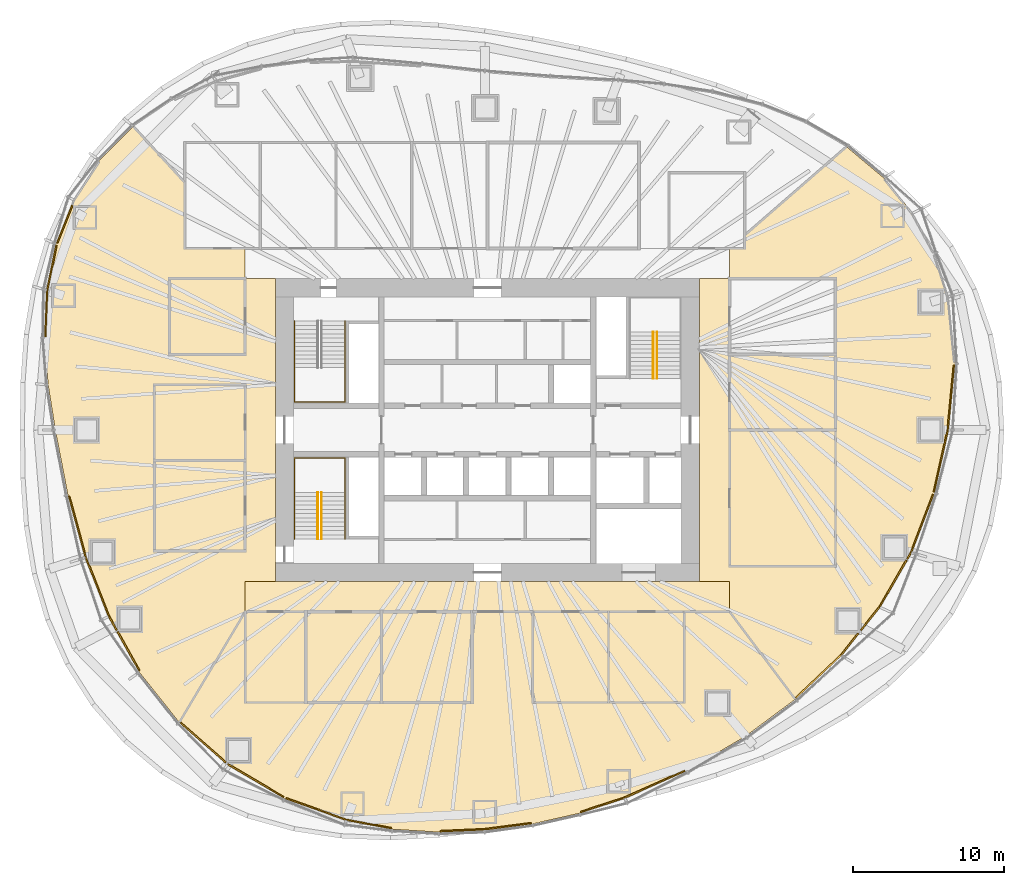
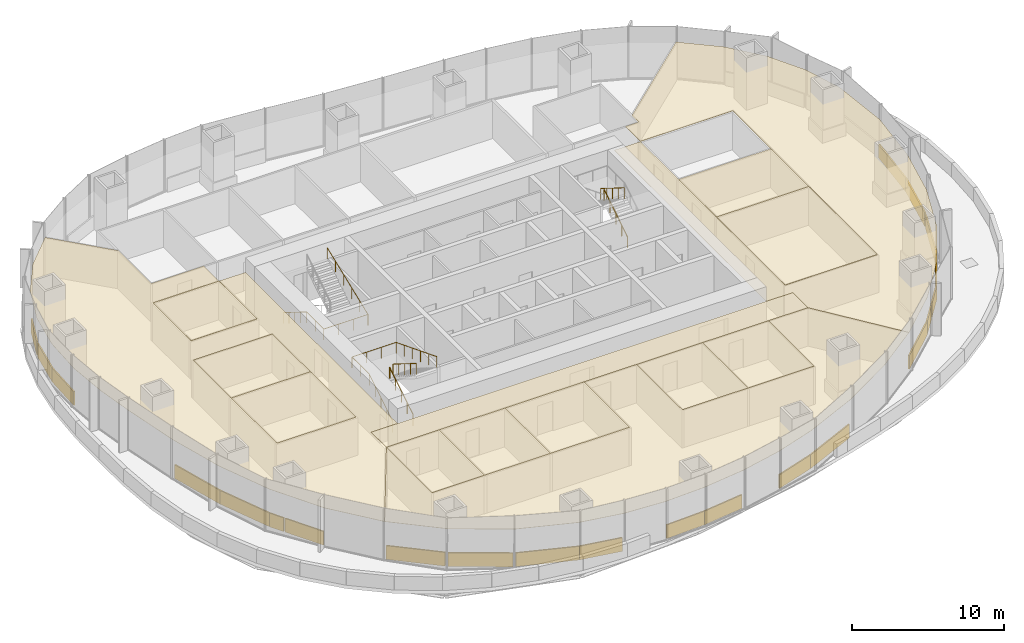
# One storey, part 19 of 20: 37 coverings, 6 railings.
"""IFC4 building model written with IfcOpenShell, lengths in metres."""

import ifcopenshell
import ifcopenshell.guid

model = None  # the IFC model being written
_history = None  # IfcOwnerHistory: only IFC2X3 demands one
_inside = {}  # id of a spatial element -> (the spatial element, [elements in it])
_under = {}  # id of a project, library or spatial element -> (it, [spatial elements below it])
_declared = {}  # id of a project -> (the project, [libraries it declares])
_typed = {}  # id of a type object -> (the type object, [elements of that type])
_made_of = {}  # id of a material, layer set ... -> (it, [elements and type objects made of it])


def new_model(schema):
    """Start an empty IFC model of exactly this schema.

    Asked for "IFC4X3", IfcOpenShell would pick the latest addendum, in which some entities
    have other attributes; the version numbers below select the first issue.
    IFC2X3 requires an IfcOwnerHistory on every rooted entity: one is made here for all.
    """
    global model, _history
    if schema == "IFC4X3":
        model = ifcopenshell.file(schema_version=(4, 3, 0, 0))
    else:
        model = ifcopenshell.file(schema=schema)
    _inside.clear()
    _under.clear()
    _declared.clear()
    _typed.clear()
    _made_of.clear()
    _history = None
    if model.schema == "IFC2X3":
        org = make("IfcOrganization", Name="unknown")
        user = make(
            "IfcPersonAndOrganization",
            ThePerson=make("IfcPerson", FamilyName="unknown"),
            TheOrganization=org,
        )
        app = make(
            "IfcApplication",
            ApplicationDeveloper=org,
            Version="unknown",
            ApplicationFullName="unknown",
            ApplicationIdentifier="unknown",
        )
        _history = make(
            "IfcOwnerHistory",
            OwningUser=user,
            OwningApplication=app,
            ChangeAction="ADDED",
            CreationDate=0,
        )
    return model


def make(cls, **values):
    """One entity of the class cls with the attributes given. An attribute that is None is left unset."""
    return model.create_entity(
        cls, **{name: value for name, value in values.items() if value is not None}
    )


def rooted(cls, **values):
    """An entity with a GlobalId (a new one), such as an element, a storey or a relation."""
    return make(cls, GlobalId=ifcopenshell.guid.new(), OwnerHistory=_history, **values)


def si_unit(unit_type, name, prefix=None):
    """IfcSIUnit, for example si_unit("LENGTHUNIT", "METRE", prefix="MILLI")."""
    return make("IfcSIUnit", UnitType=unit_type, Prefix=prefix, Name=name)


def assignment(units):
    """IfcUnitAssignment: the units of a project."""
    return None if units is None else make("IfcUnitAssignment", Units=units)


def point(xyz):
    """IfcCartesianPoint."""
    return None if xyz is None else make("IfcCartesianPoint", Coordinates=xyz)


def direction(xyz):
    """IfcDirection."""
    return None if xyz is None else make("IfcDirection", DirectionRatios=xyz)


def frame(location, z_axis=None, x_axis=None):
    """IfcAxis2Placement3D, a coordinate frame: its origin and axes. An axis left out is left unset."""
    return make(
        "IfcAxis2Placement3D",
        Location=point(location),
        Axis=direction(z_axis),
        RefDirection=direction(x_axis),
    )


def frame_2d(location, x_axis=None):
    """IfcAxis2Placement2D, a coordinate frame in the plane: its origin and x axis."""
    return make(
        "IfcAxis2Placement2D", Location=point(location), RefDirection=direction(x_axis)
    )


def origin():
    """The frame at (0, 0, 0) with its axes left unset."""
    return frame((0.0, 0.0, 0.0))


def origin_2d():
    """The frame at (0, 0) in the plane with its x axis left unset."""
    return frame_2d((0.0, 0.0))


def place(relative_to, where):
    """IfcLocalPlacement: puts the frame where relative to a parent placement (None: the world)."""
    return make(
        "IfcLocalPlacement", PlacementRelTo=relative_to, RelativePlacement=where
    )


def context(
    kind, dimensions, precision=None, world=None, true_north=None, identifier=None
):
    """IfcGeometricRepresentationContext, for example the 3D "Model" context."""
    return make(
        "IfcGeometricRepresentationContext",
        ContextIdentifier=identifier,
        ContextType=kind,
        CoordinateSpaceDimension=dimensions,
        Precision=precision,
        WorldCoordinateSystem=world,
        TrueNorth=true_north,
    )


def subcontext(parent, identifier, kind, view, scale=None):
    """IfcGeometricRepresentationSubContext, for example "Body" below "Model"."""
    return make(
        "IfcGeometricRepresentationSubContext",
        ContextIdentifier=identifier,
        ContextType=kind,
        ParentContext=parent,
        TargetScale=scale,
        TargetView=view,
    )


def project(units=None, contexts=None):
    """IfcProject with its units and contexts."""
    return rooted(
        "IfcProject",
        Name="project",
        RepresentationContexts=contexts,
        UnitsInContext=assignment(units),
    )


def spatial(cls, under=None, at=None, **own):
    """A site, building, storey or space (cls), placed at a placement, below another one or the project."""
    s = rooted(cls, ObjectPlacement=at, **own)
    if under is not None:
        _under.setdefault(under.id(), (under, []))[1].append(s)
    return s


def polyline(points):
    """IfcPolyline through the points."""
    return make("IfcPolyline", Points=[point(p) for p in points])


def profile(cls, at=None, kind="AREA", **sizes):
    """A parametric profile (cls). Its sizes go by their IFC names, for example OverallWidth=200.0."""
    return make(cls, ProfileType=kind, Position=at, **sizes)


def rectangle(**sizes):
    """IfcRectangleProfileDef."""
    return profile("IfcRectangleProfileDef", **sizes)


def circle(**sizes):
    """IfcCircleProfileDef."""
    return profile("IfcCircleProfileDef", **sizes)


def outline(outer, holes=None, kind="AREA"):
    """IfcArbitraryClosedProfileDef: a profile drawn as a closed curve; with holes, ...WithVoids."""
    if holes is None:
        return make("IfcArbitraryClosedProfileDef", ProfileType=kind, OuterCurve=outer)
    return make(
        "IfcArbitraryProfileDefWithVoids",
        ProfileType=kind,
        OuterCurve=outer,
        InnerCurves=holes,
    )


def extrude(swept, where, along, depth):
    """IfcExtrudedAreaSolid: the profile swept, set in the frame where, extruded along a direction by depth."""
    return make(
        "IfcExtrudedAreaSolid",
        SweptArea=swept,
        Position=where,
        ExtrudedDirection=direction(along),
        Depth=depth,
    )


def shape(context_of_items, identifier, shape_type, items):
    """IfcShapeRepresentation: the items that make up one representation, for example the "Body"."""
    return make(
        "IfcShapeRepresentation",
        ContextOfItems=context_of_items,
        RepresentationIdentifier=identifier,
        RepresentationType=shape_type,
        Items=items,
    )


def material(Name=None, Category=None):
    """IfcMaterial."""
    return make("IfcMaterial", Name=Name, Category=Category)


def layer(
    of_material, thickness, ventilated=None, Name=None, Category=None, Priority=None
):
    """IfcMaterialLayer: one layer of a wall or slab, of a material (None: an air gap)."""
    return make(
        "IfcMaterialLayer",
        Material=of_material,
        LayerThickness=thickness,
        IsVentilated=ventilated,
        Name=Name,
        Category=Category,
        Priority=Priority,
    )


def layer_set(layers, Name=None):
    """IfcMaterialLayerSet."""
    return make("IfcMaterialLayerSet", MaterialLayers=layers, LayerSetName=Name)


def made_of(thing, what):
    """Note that an element or type object is made of a material, layer set ...; save() writes the relation."""
    if what is not None:
        _made_of.setdefault(what.id(), (what, []))[1].append(thing)
    return thing


def type_object(cls, material=None, **own):
    """A type object (cls), such as IfcWallType, which elements share."""
    return made_of(rooted(cls, **own), material)


def element(
    cls,
    number,
    at=None,
    inside=None,
    cuts=None,
    type_object=None,
    material=None,
    context=None,
    identifier="Body",
    shape_type=None,
    held_by="IfcProductDefinitionShape",
    body=None,
    shapes=None,
    **own,
):
    """One element of the class cls, such as IfcWall. Its Tag is "e" and its number.

    at: its placement. inside: the storey or other place that contains it. cuts: it is an
    opening in that element (IfcRelVoidsElement). A single representation is given by context,
    identifier, shape_type and body (its items); several are given by shapes. held_by: the class
    of the entity that holds the representations. save() writes the other relations.
    """
    e = rooted(cls, Tag="e%d" % number, ObjectPlacement=at, **own)
    if body is not None:
        shapes = [shape(context, identifier, shape_type, body)]
    if shapes is not None:
        e.Representation = make(held_by, Representations=shapes)
    if inside is not None:
        _inside.setdefault(inside.id(), (inside, []))[1].append(e)
    if cuts is not None:
        rooted(
            "IfcRelVoidsElement", RelatingBuildingElement=cuts, RelatedOpeningElement=e
        )
    if type_object is not None:
        _typed.setdefault(type_object.id(), (type_object, []))[1].append(e)
    return made_of(e, material)


def aggregate(whole, parts):
    """IfcRelAggregates: a whole, such as a stair, and the parts it consists of."""
    return rooted("IfcRelAggregates", RelatingObject=whole, RelatedObjects=parts)


def save(model, path):
    """Write the relations noted so far, then the file.

    IfcRelAggregates (storeys below a building ...), IfcRelContainedInSpatialStructure (elements
    in a storey), IfcRelDefinesByType, IfcRelAssociatesMaterial and IfcRelDeclares: one each for
    every whole, place, type object, material and project.
    """
    for whole, parts in _under.values():
        aggregate(whole, parts)
    for where, things in _inside.values():
        rooted(
            "IfcRelContainedInSpatialStructure",
            RelatedElements=things,
            RelatingStructure=where,
        )
    for kind, things in _typed.values():
        rooted("IfcRelDefinesByType", RelatedObjects=things, RelatingType=kind)
    for what, things in _made_of.values():
        rooted("IfcRelAssociatesMaterial", RelatedObjects=things, RelatingMaterial=what)
    for by, libraries in _declared.values():
        rooted("IfcRelDeclares", RelatingContext=by, RelatedDefinitions=libraries)
    model.write(path)


model = new_model("IFC4")

# Units and contexts
model_context = context("Model", 3, precision=1e-05, world=origin(), true_north=direction((0.0, 1.0)))
body_context = subcontext(model_context, "Body", "Model", "MODEL_VIEW")
ifc_project = project(units=[si_unit("LENGTHUNIT", "METRE"), si_unit("AREAUNIT", "SQUARE_METRE"), si_unit("VOLUMEUNIT", "CUBIC_METRE"), si_unit("PLANEANGLEUNIT", "RADIAN"), si_unit("MASSUNIT", "GRAM", prefix="KILO")], contexts=[model_context])

# Site, building, storey
site_placement = place(None, origin())
site = spatial("IfcSite", under=ifc_project, at=site_placement, CompositionType="ELEMENT")
building_placement = place(site_placement, origin())
building = spatial("IfcBuilding", under=site, at=building_placement, Name="Ghaith Harvest Tower", CompositionType="ELEMENT")
storey_placement = place(building_placement, frame((0.0, 0.0, 105.0)))
storey = spatial("IfcBuildingStorey", under=building, at=storey_placement, Name="L21", CompositionType="ELEMENT", Elevation=105.0)

# Coverings
ifc_material_1 = material(Name="Mineral fibre ceiling tile", Category="gypsum")
ifc_layer_1 = layer(ifc_material_1, 0.02001953125)
ifc_layer_set_1 = layer_set([ifc_layer_1], Name="CEILING C1")
covering_type_1 = type_object("IfcCoveringType", Name="CEILING C1", PredefinedType="CEILING", material=ifc_layer_set_1)
covering_1_placement = place(storey_placement, frame((0.0, 0.0, 3.0)))
element("IfcCovering", 1, at=covering_1_placement, inside=storey, type_object=covering_type_1, Name="Ceiling L21-07", PredefinedType="CEILING", context=body_context, shape_type="SweptSolid", body=[
    extrude(outline(polyline([(16.0, -9.0), (23.0, -9.0), (23.0, 0.0), (16.0, 0.0), (16.0, -9.0)])), origin(), (0.0, 0.0, 1.0), 0.02001953125),
])
covering_2_placement = place(storey_placement, frame((0.0, 0.0, 3.0)))
element("IfcCovering", 2, at=covering_2_placement, inside=storey, type_object=covering_type_1, Name="Ceiling L21-08", PredefinedType="CEILING", context=body_context, shape_type="SweptSolid", body=[
    extrude(outline(polyline([(16.0, 0.0), (23.0, 0.0), (23.0, 5.0), (16.0, 5.0), (16.0, 0.0)])), origin(), (0.0, 0.0, 1.0), 0.02001953125),
])
covering_3_placement = place(storey_placement, frame((0.0, 0.0, 3.0)))
element("IfcCovering", 3, at=covering_3_placement, inside=storey, type_object=covering_type_1, Name="Ceiling L21-10", PredefinedType="CEILING", context=body_context, shape_type="SweptSolid", body=[
    extrude(outline(polyline([(-16.0, -18.0), (-12.0, -18.0), (-12.0, -12.0), (-16.0, -12.0), (-16.0, -18.0)])), origin(), (0.0, 0.0, 1.0), 0.02001953125),
])
covering_4_placement = place(storey_placement, frame((0.0, 0.0, 3.0)))
element("IfcCovering", 4, at=covering_4_placement, inside=storey, type_object=covering_type_1, Name="Ceiling L21-11", PredefinedType="CEILING", context=body_context, shape_type="SweptSolid", body=[
    extrude(outline(polyline([(-12.0, -18.0), (-7.0, -18.0), (-7.0, -12.0), (-12.0, -12.0), (-12.0, -18.0)])), origin(), (0.0, 0.0, 1.0), 0.02001953125),
])
covering_5_placement = place(storey_placement, frame((0.0, 0.0, 3.0)))
element("IfcCovering", 5, at=covering_5_placement, inside=storey, type_object=covering_type_1, Name="Ceiling L21-12", PredefinedType="CEILING", context=body_context, shape_type="SweptSolid", body=[
    extrude(outline(polyline([(-7.0, -18.0), (-1.0, -18.0), (-1.0, -12.0), (-7.0, -12.0), (-7.0, -18.0)])), origin(), (0.0, 0.0, 1.0), 0.02001953125),
])
covering_6_placement = place(storey_placement, frame((0.0, 0.0, 3.0)))
element("IfcCovering", 6, at=covering_6_placement, inside=storey, type_object=covering_type_1, Name="Ceiling L21-13", PredefinedType="CEILING", context=body_context, shape_type="SweptSolid", body=[
    extrude(outline(polyline([(3.0, -18.0), (8.0, -18.0), (8.0, -12.0), (3.0, -12.0), (3.0, -18.0)])), origin(), (0.0, 0.0, 1.0), 0.02001953125),
])
covering_7_placement = place(storey_placement, frame((0.0, 0.0, 3.0)))
element("IfcCovering", 7, at=covering_7_placement, inside=storey, type_object=covering_type_1, Name="Ceiling L21-14", PredefinedType="CEILING", context=body_context, shape_type="SweptSolid", body=[
    extrude(outline(polyline([(8.0, -18.0), (13.0, -18.0), (13.0, -12.0), (8.0, -12.0), (8.0, -18.0)])), origin(), (0.0, 0.0, 1.0), 0.02001953125),
])
covering_8_placement = place(storey_placement, frame((0.0, 0.0, 3.0)))
element("IfcCovering", 8, at=covering_8_placement, inside=storey, type_object=covering_type_1, Name="Ceiling L21-15", PredefinedType="CEILING", context=body_context, shape_type="SweptSolid", body=[
    extrude(outline(polyline([(-22.0, -8.0), (-16.0, -8.0), (-16.0, -2.0), (-22.0, -2.0), (-22.0, -8.0)])), origin(), (0.0, 0.0, 1.0), 0.02001953125),
])
covering_9_placement = place(storey_placement, frame((0.0, 0.0, 3.0)))
element("IfcCovering", 9, at=covering_9_placement, inside=storey, type_object=covering_type_1, Name="Ceiling L21-16", PredefinedType="CEILING", context=body_context, shape_type="SweptSolid", body=[
    extrude(outline(polyline([(-22.0, -2.0), (-16.0, -2.0), (-16.0, 3.0), (-22.0, 3.0), (-22.0, -2.0)])), origin(), (0.0, 0.0, 1.0), 0.02001953125),
])
covering_10_placement = place(storey_placement, frame((0.0, 0.0, 3.0)))
element("IfcCovering", 10, at=covering_10_placement, inside=storey, type_object=covering_type_1, Name="Ceiling L21-17", PredefinedType="CEILING", context=body_context, shape_type="SweptSolid", body=[
    extrude(outline(polyline([(-21.0, 5.0), (-16.0, 5.0), (-16.0, 10.0), (-21.0, 10.0), (-21.0, 5.0)])), origin(), (0.0, 0.0, 1.0), 0.02001953125),
])
covering_11_placement = place(storey_placement, frame((0.0, 0.0, 3.0)))
element("IfcCovering", 11, at=covering_11_placement, inside=storey, type_object=covering_type_1, Name="Ceiling L21-C2", PredefinedType="CEILING", context=body_context, shape_type="SweptSolid", body=[
    extrude(outline(polyline([(-16.0, -10.0), (16.0, -10.0), (16.0, -12.0), (-16.0, -12.0), (-16.0, -10.0)])), origin(), (0.0, 0.0, 1.0), 0.02001953125),
])
covering_12_placement = place(storey_placement, frame((0.0, 0.0, 3.0)))
element("IfcCovering", 12, at=covering_12_placement, inside=storey, type_object=covering_type_1, Name="Ceiling L21-E1", PredefinedType="CEILING", context=body_context, shape_type="SweptSolid", body=[
    extrude(outline(polyline([(28.0888671875, 14.32568359375), (29.52294921875, 11.671875), (30.439208984375, 8.797607421875), (30.8798828125, 4.373046875), (30.458740234375, 0.0), (29.527099609375, -4.181396484375), (28.03125, -8.1015625), (25.94775390625, -11.714111328125), (23.400390625, -14.89208984375), (20.33935546875, -17.784912109375), (16.0, -12.0), (16.0, -10.0), (14.0, -10.0), (14.0, 10.0), (15.989990234375, 10.0), (15.989990234375, -9.010009765625), (23.010009765625, -9.010009765625), (23.010009765625, 10.010009765625), (16.0, 10.010009765625), (16.0, 12.0), (17.0, 12.0), (17.0, 12.869384765625), (23.7275390625, 18.718017578125), (26.179443359375, 16.660888671875), (28.0888671875, 14.32568359375)])), origin(), (0.0, 0.0, 1.0), 0.02001953125),
])
covering_13_placement = place(storey_placement, frame((0.0, 0.0, 3.0)))
element("IfcCovering", 13, at=covering_13_placement, inside=storey, type_object=covering_type_1, Name="Ceiling L21-S1", PredefinedType="CEILING", context=body_context, shape_type="SweptSolid", body=[
    extrude(outline(polyline([(17.054443359375, -20.22412109375), (13.163818359375, -22.510498046875), (9.09423828125, -24.326904296875), (6.09228515625, -25.308837890625), (2.99609375, -26.010009765625), (-0.180908203125, -26.423583984375), (-3.204833984375, -26.556884765625), (-6.2666015625, -26.366455078125), (-9.317138671875, -25.79638671875), (-13.4052734375, -24.33740234375), (-17.1728515625, -22.11181640625), (-20.35400390625, -19.31396484375), (-16.0, -12.0), (-16.0, -18.0), (-1.0, -18.0), (-1.0, -12.0), (3.0, -12.0), (3.0, -18.0), (13.0, -18.0), (13.0, -12.0), (16.0, -12.0), (20.33935546875, -17.784912109375), (17.054443359375, -20.22412109375)])), origin(), (0.0, 0.0, 1.0), 0.02001953125),
])
covering_14_placement = place(storey_placement, frame((0.0, 0.0, 3.0)))
element("IfcCovering", 14, at=covering_14_placement, inside=storey, type_object=covering_type_1, Name="Ceiling L21-W1", PredefinedType="CEILING", context=body_context, shape_type="SweptSolid", body=[
    extrude(outline(polyline([(-27.70947265625, -4.285888671875), (-28.541259765625, 0.0), (-29.01171875, 2.978271484375), (-29.260498046875, 6.07177734375), (-29.12646484375, 9.230712890625), (-28.506591796875, 12.29638671875), (-27.33837890625, 15.204833984375), (-25.61962890625, 17.826416015625), (-23.398193359375, 20.06103515625), (-20.0, 16.3583984375), (-20.0, 12.0), (-16.0, 12.0), (-16.0, 10.010009765625), (-21.010009765625, 10.010009765625), (-21.010009765625, 4.989990234375), (-15.989990234375, 4.989990234375), (-15.989990234375, 10.0), (-14.0, 10.0), (-14.0, -10.0), (-16.0, -10.0), (-16.0, -12.0), (-20.35400390625, -19.31396484375), (-22.99169921875, -15.997802734375), (-25.046875, -12.32861328125), (-26.580078125, -8.423583984375), (-27.70947265625, -4.285888671875)]), holes=[polyline([(-22.0, -8.0), (-16.0, -8.0), (-16.0, 3.0), (-22.0, 3.0), (-22.0, -8.0)])]), origin(), (0.0, 0.0, 1.0), 0.02001953125),
])

# Railings
ifc_material_2 = material(Name="Steel, black powder-coated", Category="steel")
railing_type = type_object("IfcRailingType", Name="HANDRAIL HR1", PredefinedType="HANDRAIL", material=ifc_material_2)
railing_1_placement = place(storey_placement, frame((-12.75, 7.199951171875, 0.175048828125)))
element("IfcRailing", 15, at=railing_1_placement, inside=storey, type_object=railing_type, Name="Handrail HR1 stair ST1 L21 wall side", PredefinedType="HANDRAIL", context=body_context, shape_type="SweptSolid", body=[
    extrude(circle(Radius=0.02392578125, at=origin_2d()), frame((0.0, 0.0, 0.8759765625), z_axis=(0.0, -0.847979421464, 0.530029150871), x_axis=(1.0, 0.0, 0.0)), (0.0, 0.0, 1.0), 3.632080078125),
    extrude(circle(Radius=0.02392578125, at=origin_2d()), frame((0.0, -3.079833984375, 2.80078125), z_axis=(0.0, -1.0, 0.0), x_axis=(1.0, 0.0, 0.0)), (0.0, 0.0, 1.0), 2.27001953125),
    extrude(circle(Radius=0.02392578125, at=origin_2d()), frame((0.0, -5.349853515625, 2.80078125), z_axis=(1.0, 0.0, 0.0), x_axis=(0.0, 1.0, 0.0)), (0.0, 0.0, 1.0), 3.35009765625),
    extrude(circle(Radius=0.02392578125, at=origin_2d()), frame((3.35009765625, -5.349853515625, 2.80078125), z_axis=(0.0, 0.930862461605, 0.365369781968), x_axis=(-1.0, 0.0, 0.0)), (0.0, 0.0, 1.0), 5.747314453125),
    extrude(circle(Radius=0.02099609375, at=origin_2d()), origin(), (0.0, 0.0, 1.0), 0.851806640625),
    extrude(circle(Radius=0.02099609375, at=origin_2d()), frame((0.0, -0.77001953125, 0.481201171875)), (0.0, 0.0, 1.0), 0.851806640625),
    extrude(circle(Radius=0.02099609375, at=origin_2d()), frame((0.0, -1.5400390625, 0.96240234375)), (0.0, 0.0, 1.0), 0.851806640625),
    extrude(circle(Radius=0.02099609375, at=origin_2d()), frame((0.0, -2.309814453125, 1.44384765625)), (0.0, 0.0, 1.0), 0.851806640625),
    extrude(circle(Radius=0.02099609375, at=origin_2d()), frame((0.0, -3.079833984375, 1.925048828125)), (0.0, 0.0, 1.0), 0.851806640625),
    extrude(circle(Radius=0.02099609375, at=origin_2d()), frame((0.0, -4.21484375, 1.925048828125)), (0.0, 0.0, 1.0), 0.851806640625),
    extrude(circle(Radius=0.02099609375, at=origin_2d()), frame((0.0, -5.349853515625, 1.925048828125)), (0.0, 0.0, 1.0), 0.851806640625),
    extrude(circle(Radius=0.02099609375, at=origin_2d()), frame((1.11669921875, -5.349853515625, 1.925048828125)), (0.0, 0.0, 1.0), 0.851806640625),
    extrude(circle(Radius=0.02099609375, at=origin_2d()), frame((2.2333984375, -5.349853515625, 1.925048828125)), (0.0, 0.0, 1.0), 0.851806640625),
    extrude(circle(Radius=0.02099609375, at=origin_2d()), frame((3.35009765625, -5.349853515625, 1.925048828125)), (0.0, 0.0, 1.0), 0.851806640625),
    extrude(circle(Radius=0.02099609375, at=origin_2d()), frame((3.35009765625, -4.27978515625, 2.344970703125)), (0.0, 0.0, 1.0), 0.851806640625),
    extrude(circle(Radius=0.02099609375, at=origin_2d()), frame((3.35009765625, -3.2099609375, 2.764892578125)), (0.0, 0.0, 1.0), 0.851806640625),
    extrude(circle(Radius=0.02099609375, at=origin_2d()), frame((3.35009765625, -2.139892578125, 3.18505859375)), (0.0, 0.0, 1.0), 0.851806640625),
    extrude(circle(Radius=0.02099609375, at=origin_2d()), frame((3.35009765625, -1.070068359375, 3.60498046875)), (0.0, 0.0, 1.0), 0.851806640625),
    extrude(circle(Radius=0.02099609375, at=origin_2d()), frame((3.35009765625, 0.0, 4.02490234375)), (0.0, 0.0, 1.0), 0.851806640625),
])
railing_2_placement = place(storey_placement, frame((-11.199951171875, -7.199951171875, 0.175048828125)))
element("IfcRailing", 16, at=railing_2_placement, inside=storey, type_object=railing_type, Name="Handrail HR1 stair ST3 L21 flight 1 inner", PredefinedType="HANDRAIL", context=body_context, shape_type="SweptSolid", body=[
    extrude(circle(Radius=0.02392578125, at=origin_2d()), frame((0.0, 0.0, 0.8759765625), z_axis=(0.0, 0.847979421464, 0.530029150871), x_axis=(-1.0, 0.0, 0.0)), (0.0, 0.0, 1.0), 3.632080078125),
    extrude(circle(Radius=0.02099609375, at=origin_2d()), origin(), (0.0, 0.0, 1.0), 0.851806640625),
    extrude(circle(Radius=0.02099609375, at=origin_2d()), frame((0.0, 0.77001953125, 0.481201171875)), (0.0, 0.0, 1.0), 0.851806640625),
    extrude(circle(Radius=0.02099609375, at=origin_2d()), frame((0.0, 1.5400390625, 0.96240234375)), (0.0, 0.0, 1.0), 0.851806640625),
    extrude(circle(Radius=0.02099609375, at=origin_2d()), frame((0.0, 2.309814453125, 1.44384765625)), (0.0, 0.0, 1.0), 0.851806640625),
    extrude(circle(Radius=0.02099609375, at=origin_2d()), frame((0.0, 3.079833984375, 1.925048828125)), (0.0, 0.0, 1.0), 0.851806640625),
])
railing_3_placement = place(storey_placement, frame((-10.949951171875, -4.1201171875, 2.27490234375)))
element("IfcRailing", 17, at=railing_3_placement, inside=storey, type_object=railing_type, Name="Handrail HR1 stair ST3 L21 flight 2 inner", PredefinedType="HANDRAIL", context=body_context, shape_type="SweptSolid", body=[
    extrude(circle(Radius=0.02392578125, at=origin_2d()), frame((0.0, 0.0, 0.8759765625), z_axis=(0.0, -0.847979421464, 0.530029150871), x_axis=(1.0, 0.0, 0.0)), (0.0, 0.0, 1.0), 3.632080078125),
    extrude(circle(Radius=0.02099609375, at=origin_2d()), origin(), (0.0, 0.0, 1.0), 0.851806640625),
    extrude(circle(Radius=0.02099609375, at=origin_2d()), frame((0.0, -0.77001953125, 0.481201171875)), (0.0, 0.0, 1.0), 0.851806640625),
    extrude(circle(Radius=0.02099609375, at=origin_2d()), frame((0.0, -1.5400390625, 0.96240234375)), (0.0, 0.0, 1.0), 0.851806640625),
    extrude(circle(Radius=0.02099609375, at=origin_2d()), frame((0.0, -2.309814453125, 1.44384765625)), (0.0, 0.0, 1.0), 0.851806640625),
    extrude(circle(Radius=0.02099609375, at=origin_2d()), frame((0.0, -3.079833984375, 1.925048828125)), (0.0, 0.0, 1.0), 0.851806640625),
])
railing_4_placement = place(storey_placement, frame((-12.75, -7.199951171875, 0.175048828125)))
element("IfcRailing", 18, at=railing_4_placement, inside=storey, type_object=railing_type, Name="Handrail HR1 stair ST3 L21 wall side", PredefinedType="HANDRAIL", context=body_context, shape_type="SweptSolid", body=[
    extrude(circle(Radius=0.02392578125, at=origin_2d()), frame((0.0, 0.0, 0.8759765625), z_axis=(0.0, 0.847979421464, 0.530029150871), x_axis=(-1.0, 0.0, 0.0)), (0.0, 0.0, 1.0), 3.632080078125),
    extrude(circle(Radius=0.02392578125, at=origin_2d()), frame((0.0, 3.079833984375, 2.80078125), z_axis=(0.0, 1.0, 0.0), x_axis=(-1.0, 0.0, 0.0)), (0.0, 0.0, 1.0), 2.27001953125),
    extrude(circle(Radius=0.02392578125, at=origin_2d()), frame((0.0, 5.349853515625, 2.80078125), z_axis=(1.0, 0.0, 0.0), x_axis=(0.0, 1.0, 0.0)), (0.0, 0.0, 1.0), 3.35009765625),
    extrude(circle(Radius=0.02392578125, at=origin_2d()), frame((3.35009765625, 5.349853515625, 2.80078125), z_axis=(0.0, -0.930862461605, 0.365369781968), x_axis=(1.0, 0.0, 0.0)), (0.0, 0.0, 1.0), 5.747314453125),
    extrude(circle(Radius=0.02099609375, at=origin_2d()), origin(), (0.0, 0.0, 1.0), 0.851806640625),
    extrude(circle(Radius=0.02099609375, at=origin_2d()), frame((0.0, 0.77001953125, 0.481201171875)), (0.0, 0.0, 1.0), 0.851806640625),
    extrude(circle(Radius=0.02099609375, at=origin_2d()), frame((0.0, 1.5400390625, 0.96240234375)), (0.0, 0.0, 1.0), 0.851806640625),
    extrude(circle(Radius=0.02099609375, at=origin_2d()), frame((0.0, 2.309814453125, 1.44384765625)), (0.0, 0.0, 1.0), 0.851806640625),
    extrude(circle(Radius=0.02099609375, at=origin_2d()), frame((0.0, 3.079833984375, 1.925048828125)), (0.0, 0.0, 1.0), 0.851806640625),
    extrude(circle(Radius=0.02099609375, at=origin_2d()), frame((0.0, 4.21484375, 1.925048828125)), (0.0, 0.0, 1.0), 0.851806640625),
    extrude(circle(Radius=0.02099609375, at=origin_2d()), frame((0.0, 5.349853515625, 1.925048828125)), (0.0, 0.0, 1.0), 0.851806640625),
    extrude(circle(Radius=0.02099609375, at=origin_2d()), frame((1.11669921875, 5.349853515625, 1.925048828125)), (0.0, 0.0, 1.0), 0.851806640625),
    extrude(circle(Radius=0.02099609375, at=origin_2d()), frame((2.2333984375, 5.349853515625, 1.925048828125)), (0.0, 0.0, 1.0), 0.851806640625),
    extrude(circle(Radius=0.02099609375, at=origin_2d()), frame((3.35009765625, 5.349853515625, 1.925048828125)), (0.0, 0.0, 1.0), 0.851806640625),
    extrude(circle(Radius=0.02099609375, at=origin_2d()), frame((3.35009765625, 4.27978515625, 2.344970703125)), (0.0, 0.0, 1.0), 0.851806640625),
    extrude(circle(Radius=0.02099609375, at=origin_2d()), frame((3.35009765625, 3.2099609375, 2.764892578125)), (0.0, 0.0, 1.0), 0.851806640625),
    extrude(circle(Radius=0.02099609375, at=origin_2d()), frame((3.35009765625, 2.139892578125, 3.18505859375)), (0.0, 0.0, 1.0), 0.851806640625),
    extrude(circle(Radius=0.02099609375, at=origin_2d()), frame((3.35009765625, 1.070068359375, 3.60498046875)), (0.0, 0.0, 1.0), 0.851806640625),
    extrude(circle(Radius=0.02099609375, at=origin_2d()), frame((3.35009765625, 0.0, 4.02490234375)), (0.0, 0.0, 1.0), 0.851806640625),
])
railing_5_placement = place(storey_placement, frame((11.199951171875, 3.39990234375, 0.175048828125)))
element("IfcRailing", 19, at=railing_5_placement, inside=storey, type_object=railing_type, Name="Handrail HR1 stair ST2 L21 flight 1 inner", PredefinedType="HANDRAIL", context=body_context, shape_type="SweptSolid", body=[
    extrude(circle(Radius=0.02392578125, at=origin_2d()), frame((0.0, 0.0, 0.8759765625), z_axis=(0.0, 0.847998304005, 0.529998940003), x_axis=(-1.0, 0.0, 0.0)), (0.0, 0.0, 1.0), 3.632080078125),
    extrude(circle(Radius=0.02099609375, at=origin_2d()), origin(), (0.0, 0.0, 1.0), 0.851806640625),
    extrude(circle(Radius=0.02099609375, at=origin_2d()), frame((0.0, 0.77001953125, 0.481201171875)), (0.0, 0.0, 1.0), 0.851806640625),
    extrude(circle(Radius=0.02099609375, at=origin_2d()), frame((0.0, 1.5400390625, 0.96240234375)), (0.0, 0.0, 1.0), 0.851806640625),
    extrude(circle(Radius=0.02099609375, at=origin_2d()), frame((0.0, 2.31005859375, 1.44384765625)), (0.0, 0.0, 1.0), 0.851806640625),
    extrude(circle(Radius=0.02099609375, at=origin_2d()), frame((0.0, 3.080078125, 1.925048828125)), (0.0, 0.0, 1.0), 0.851806640625),
])
railing_6_placement = place(storey_placement, frame((10.949951171875, 6.47998046875, 2.27490234375)))
element("IfcRailing", 20, at=railing_6_placement, inside=storey, type_object=railing_type, Name="Handrail HR1 stair ST2 L21 flight 2 inner", PredefinedType="HANDRAIL", context=body_context, shape_type="SweptSolid", body=[
    extrude(circle(Radius=0.02392578125, at=origin_2d()), frame((0.0, 0.0, 0.8759765625), z_axis=(0.0, -0.847998304005, 0.529998940003), x_axis=(1.0, 0.0, 0.0)), (0.0, 0.0, 1.0), 3.632080078125),
    extrude(circle(Radius=0.02099609375, at=origin_2d()), origin(), (0.0, 0.0, 1.0), 0.851806640625),
    extrude(circle(Radius=0.02099609375, at=origin_2d()), frame((0.0, -0.77001953125, 0.481201171875)), (0.0, 0.0, 1.0), 0.851806640625),
    extrude(circle(Radius=0.02099609375, at=origin_2d()), frame((0.0, -1.5400390625, 0.96240234375)), (0.0, 0.0, 1.0), 0.851806640625),
    extrude(circle(Radius=0.02099609375, at=origin_2d()), frame((0.0, -2.31005859375, 1.44384765625)), (0.0, 0.0, 1.0), 0.851806640625),
    extrude(circle(Radius=0.02099609375, at=origin_2d()), frame((0.0, -3.080078125, 1.925048828125)), (0.0, 0.0, 1.0), 0.851806640625),
])

# Coverings
ifc_material_3 = material(Name="Insulated aluminium spandrel panel on steel framing", Category="steel")
ifc_layer_2 = layer(ifc_material_3, 0.10009765625)
ifc_layer_set_2 = layer_set([ifc_layer_2], Name="SLAB EDGE UPSTAND 1100x100")
covering_type_2 = type_object("IfcCoveringType", Name="SLAB EDGE UPSTAND 1100x100", PredefinedType="CLADDING", material=ifc_layer_set_2)
covering_15_placement = place(storey_placement, frame((30.61474609375, 2.1416015625, 0.0), z_axis=(0.0, 0.0, 1.0), x_axis=(0.095861332319, 0.99539469808, 0.0)))
element("IfcCovering", 21, at=covering_15_placement, inside=storey, type_object=covering_type_2, Name="Slab edge upstand 1 bay 01 L21", PredefinedType="CLADDING", context=body_context, shape_type="SweptSolid", body=[
    extrude(rectangle(XDim=4.293212890625, YDim=0.10009765625, at=origin_2d()), origin(), (0.0, 0.0, 1.0), 1.10009765625),
])
covering_16_placement = place(storey_placement, frame((-27.92626953125, 13.607421875, 0.0), z_axis=(0.0, 0.0, 1.0), x_axis=(-0.372732078847, -0.927939005215, 0.0)))
element("IfcCovering", 22, at=covering_16_placement, inside=storey, type_object=covering_type_2, Name="Slab edge upstand 2 bay 09 L21", PredefinedType="CLADDING", context=body_context, shape_type="SweptSolid", body=[
    extrude(rectangle(XDim=2.66552734375, YDim=0.10009765625, at=origin_2d()), origin(), (0.0, 0.0, 1.0), 1.10009765625),
])
covering_17_placement = place(storey_placement, frame((-28.777587890625, 10.70458984375, 0.0), z_axis=(0.0, 0.0, 1.0), x_axis=(-0.198182542943, -0.980165128778, 0.0)))
element("IfcCovering", 23, at=covering_17_placement, inside=storey, type_object=covering_type_2, Name="Slab edge upstand 3 bay 09 L21", PredefinedType="CLADDING", context=body_context, shape_type="SweptSolid", body=[
    extrude(rectangle(XDim=3.027587890625, YDim=0.10009765625, at=origin_2d()), origin(), (0.0, 0.0, 1.0), 1.10009765625),
])
covering_18_placement = place(storey_placement, frame((-29.141357421875, 7.69921875, 0.0), z_axis=(0.0, 0.0, 1.0), x_axis=(-0.042372799788, -0.9991018696, 0.0)))
element("IfcCovering", 24, at=covering_18_placement, inside=storey, type_object=covering_type_2, Name="Slab edge upstand 1 bay 10 L21", PredefinedType="CLADDING", context=body_context, shape_type="SweptSolid", body=[
    extrude(rectangle(XDim=3.061767578125, YDim=0.10009765625, at=origin_2d()), origin(), (0.0, 0.0, 1.0), 1.10009765625),
])
covering_19_placement = place(storey_placement, frame((-27.08349609375, -6.389892578125, 0.0), z_axis=(0.0, 0.0, 1.0), x_axis=(0.263287721652, -0.964717355305, 0.0)))
element("IfcCovering", 25, at=covering_19_placement, inside=storey, type_object=covering_type_2, Name="Slab edge upstand 2 bay 11 L21", PredefinedType="CLADDING", context=body_context, shape_type="SweptSolid", body=[
    extrude(rectangle(XDim=4.189208984375, YDim=0.10009765625, at=origin_2d()), origin(), (0.0, 0.0, 1.0), 1.10009765625),
])
covering_20_placement = place(storey_placement, frame((-25.76708984375, -10.35791015625, 0.0), z_axis=(0.0, 0.0, 1.0), x_axis=(0.365514970008, -0.930805461254, 0.0)))
element("IfcCovering", 26, at=covering_20_placement, inside=storey, type_object=covering_type_2, Name="Slab edge upstand 1 bay 12 L21", PredefinedType="CLADDING", context=body_context, shape_type="SweptSolid", body=[
    extrude(rectangle(XDim=4.195068359375, YDim=0.10009765625, at=origin_2d()), origin(), (0.0, 0.0, 1.0), 1.10009765625),
])
covering_21_placement = place(storey_placement, frame((-24.745849609375, -12.763427734375, 0.0), z_axis=(0.0, 0.0, 1.0), x_axis=(0.488683758288, -0.872460993045, 0.0)))
element("IfcCovering", 27, at=covering_21_placement, inside=storey, type_object=covering_type_2, Name="Slab edge upstand 2 bay 12 L21", PredefinedType="CLADDING", context=body_context, shape_type="SweptSolid", body=[
    extrude(rectangle(XDim=1.052978515625, YDim=0.10009765625, at=origin_2d()), origin(), (0.0, 0.0, 1.0), 1.10009765625),
])
covering_22_placement = place(storey_placement, frame((-23.71337890625, -14.606689453125, 0.0), z_axis=(0.0, 0.0, 1.0), x_axis=(0.488683758288, -0.872460993045, 0.0)))
element("IfcCovering", 28, at=covering_22_placement, inside=storey, type_object=covering_type_2, Name="Slab edge upstand 2 bay 12 L21", PredefinedType="CLADDING", context=body_context, shape_type="SweptSolid", body=[
    extrude(rectangle(XDim=2.9326171875, YDim=0.10009765625, at=origin_2d()), origin(), (0.0, 0.0, 1.0), 1.10009765625),
])
covering_23_placement = place(storey_placement, frame((-18.762939453125, -20.646728515625, 0.0), z_axis=(0.0, 0.0, 1.0), x_axis=(0.75089221411, -0.660424774511, 0.0)))
element("IfcCovering", 29, at=covering_23_placement, inside=storey, type_object=covering_type_2, Name="Slab edge upstand 2 bay 13 L21", PredefinedType="CLADDING", context=body_context, shape_type="SweptSolid", body=[
    extrude(rectangle(XDim=3.949951171875, YDim=0.10009765625, at=origin_2d()), origin(), (0.0, 0.0, 1.0), 1.10009765625),
])
covering_24_placement = place(storey_placement, frame((-15.306640625, -23.15625, 0.0), z_axis=(0.0, 0.0, 1.0), x_axis=(0.861020519069, -0.508570217121, 0.0)))
element("IfcCovering", 30, at=covering_24_placement, inside=storey, type_object=covering_type_2, Name="Slab edge upstand 1 bay 14 L21", PredefinedType="CLADDING", context=body_context, shape_type="SweptSolid", body=[
    extrude(rectangle(XDim=4.27587890625, YDim=0.10009765625, at=origin_2d()), origin(), (0.0, 0.0, 1.0), 1.10009765625),
])
covering_25_placement = place(storey_placement, frame((-11.29736328125, -25.03662109375, 0.0), z_axis=(0.0, 0.0, 1.0), x_axis=(0.941807015649, -0.336154049915, 0.0)))
element("IfcCovering", 31, at=covering_25_placement, inside=storey, type_object=covering_type_2, Name="Slab edge upstand 2 bay 14 L21", PredefinedType="CLADDING", context=body_context, shape_type="SweptSolid", body=[
    extrude(rectangle(XDim=4.24072265625, YDim=0.10009765625, at=origin_2d()), origin(), (0.0, 0.0, 1.0), 1.10009765625),
])
covering_26_placement = place(storey_placement, frame((-7.831787109375, -26.023193359375, 0.0), z_axis=(0.0, 0.0, 1.0), x_axis=(0.982990071164, -0.183658705191, 0.0)))
element("IfcCovering", 32, at=covering_26_placement, inside=storey, type_object=covering_type_2, Name="Slab edge upstand 1 bay 15 L21", PredefinedType="CLADDING", context=body_context, shape_type="SweptSolid", body=[
    extrude(rectangle(XDim=3.003173828125, YDim=0.10009765625, at=origin_2d()), origin(), (0.0, 0.0, 1.0), 1.10009765625),
])
covering_27_placement = place(storey_placement, frame((-1.64501953125, -26.43798828125, 0.0), z_axis=(0.0, 0.0, 1.0), x_axis=(0.999029547734, 0.044045008275, 0.0)))
element("IfcCovering", 33, at=covering_27_placement, inside=storey, type_object=covering_type_2, Name="Slab edge upstand 3 bay 15 L21", PredefinedType="CLADDING", context=body_context, shape_type="SweptSolid", body=[
    extrude(rectangle(XDim=2.927001953125, YDim=0.10009765625, at=origin_2d()), origin(), (0.0, 0.0, 1.0), 1.10009765625),
])
covering_28_placement = place(storey_placement, frame((1.3515625, -26.173583984375, 0.0), z_axis=(0.0, 0.0, 1.0), x_axis=(0.991633707242, 0.129083657611, 0.0)))
element("IfcCovering", 34, at=covering_28_placement, inside=storey, type_object=covering_type_2, Name="Slab edge upstand 1 bay 16 L21", PredefinedType="CLADDING", context=body_context, shape_type="SweptSolid", body=[
    extrude(rectangle(XDim=3.103759765625, YDim=0.10009765625, at=origin_2d()), origin(), (0.0, 0.0, 1.0), 1.10009765625),
])
covering_29_placement = place(storey_placement, frame((7.625244140625, -24.754638671875, 0.0), z_axis=(0.0, 0.0, 1.0), x_axis=(0.950441392134, 0.310903779518, 0.0)))
element("IfcCovering", 35, at=covering_29_placement, inside=storey, type_object=covering_type_2, Name="Slab edge upstand 3 bay 16 L21", PredefinedType="CLADDING", context=body_context, shape_type="SweptSolid", body=[
    extrude(rectangle(XDim=3.05859375, YDim=0.10009765625, at=origin_2d()), origin(), (0.0, 0.0, 1.0), 1.10009765625),
])
covering_30_placement = place(storey_placement, frame((11.06298828125, -23.393310546875, 0.0), z_axis=(0.0, 0.0, 1.0), x_axis=(0.913170343632, 0.407578119519, 0.0)))
element("IfcCovering", 36, at=covering_30_placement, inside=storey, type_object=covering_type_2, Name="Slab edge upstand 1 bay 17 L21", PredefinedType="CLADDING", context=body_context, shape_type="SweptSolid", body=[
    extrude(rectangle(XDim=4.356689453125, YDim=0.10009765625, at=origin_2d()), origin(), (0.0, 0.0, 1.0), 1.10009765625),
])
covering_31_placement = place(storey_placement, frame((21.871826171875, -16.267822265625, 0.0), z_axis=(0.0, 0.0, 1.0), x_axis=(0.72680962062, 0.686838973395, 0.0)))
element("IfcCovering", 37, at=covering_31_placement, inside=storey, type_object=covering_type_2, Name="Slab edge upstand 2 bay 18 L21", PredefinedType="CLADDING", context=body_context, shape_type="SweptSolid", body=[
    extrude(rectangle(XDim=4.111572265625, YDim=0.10009765625, at=origin_2d()), origin(), (0.0, 0.0, 1.0), 1.10009765625),
])
covering_32_placement = place(storey_placement, frame((23.9326171875, -14.148193359375, 0.0), z_axis=(0.0, 0.0, 1.0), x_axis=(0.625468377377, 0.780249517079, 0.0)))
element("IfcCovering", 38, at=covering_32_placement, inside=storey, type_object=covering_type_2, Name="Slab edge upstand 1 bay 19 L21", PredefinedType="CLADDING", context=body_context, shape_type="SweptSolid", body=[
    extrude(rectangle(XDim=1.8271484375, YDim=0.10009765625, at=origin_2d()), origin(), (0.0, 0.0, 1.0), 1.10009765625),
])
covering_33_placement = place(storey_placement, frame((25.2919921875, -12.452392578125, 0.0), z_axis=(0.0, 0.0, 1.0), x_axis=(0.625468377377, 0.780249517079, 0.0)))
element("IfcCovering", 39, at=covering_33_placement, inside=storey, type_object=covering_type_2, Name="Slab edge upstand 1 bay 19 L21", PredefinedType="CLADDING", context=body_context, shape_type="SweptSolid", body=[
    extrude(rectangle(XDim=1.97265625, YDim=0.10009765625, at=origin_2d()), origin(), (0.0, 0.0, 1.0), 1.10009765625),
])
covering_34_placement = place(storey_placement, frame((26.79443359375, -10.14599609375, 0.0), z_axis=(0.0, 0.0, 1.0), x_axis=(0.499596169173, 0.866258430117, 0.0)))
element("IfcCovering", 40, at=covering_34_placement, inside=storey, type_object=covering_type_2, Name="Slab edge upstand 2 bay 19 L21", PredefinedType="CLADDING", context=body_context, shape_type="SweptSolid", body=[
    extrude(rectangle(XDim=3.5625, YDim=0.10009765625, at=origin_2d()), origin(), (0.0, 0.0, 1.0), 1.10009765625),
])
covering_35_placement = place(storey_placement, frame((27.859619140625, -8.29931640625, 0.0), z_axis=(0.0, 0.0, 1.0), x_axis=(0.499596169173, 0.866258430117, 0.0)))
element("IfcCovering", 41, at=covering_35_placement, inside=storey, type_object=covering_type_2, Name="Slab edge upstand 2 bay 19 L21", PredefinedType="CLADDING", context=body_context, shape_type="SweptSolid", body=[
    extrude(rectangle(XDim=0.513671875, YDim=0.10009765625, at=origin_2d()), origin(), (0.0, 0.0, 1.0), 1.10009765625),
])
covering_36_placement = place(storey_placement, frame((28.714599609375, -6.17041015625, 0.0), z_axis=(0.0, 0.0, 1.0), x_axis=(0.356503850378, 0.934293853488, 0.0)))
element("IfcCovering", 42, at=covering_36_placement, inside=storey, type_object=covering_type_2, Name="Slab edge upstand 1 bay 20 L21", PredefinedType="CLADDING", context=body_context, shape_type="SweptSolid", body=[
    extrude(rectangle(XDim=4.095947265625, YDim=0.10009765625, at=origin_2d()), origin(), (0.0, 0.0, 1.0), 1.10009765625),
])
covering_37_placement = place(storey_placement, frame((29.955078125, -2.031005859375, 0.0), z_axis=(0.0, 0.0, 1.0), x_axis=(0.217466241983, 0.976067842723, 0.0)))
element("IfcCovering", 43, at=covering_37_placement, inside=storey, type_object=covering_type_2, Name="Slab edge upstand 2 bay 20 L21", PredefinedType="CLADDING", context=body_context, shape_type="SweptSolid", body=[
    extrude(rectangle(XDim=4.183837890625, YDim=0.10009765625, at=origin_2d()), origin(), (0.0, 0.0, 1.0), 1.10009765625),
])

save(model, "model.ifc")
